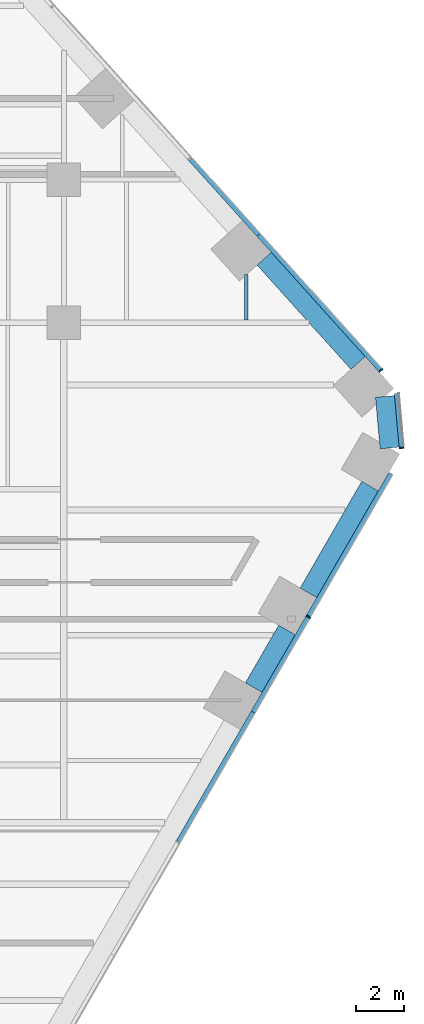
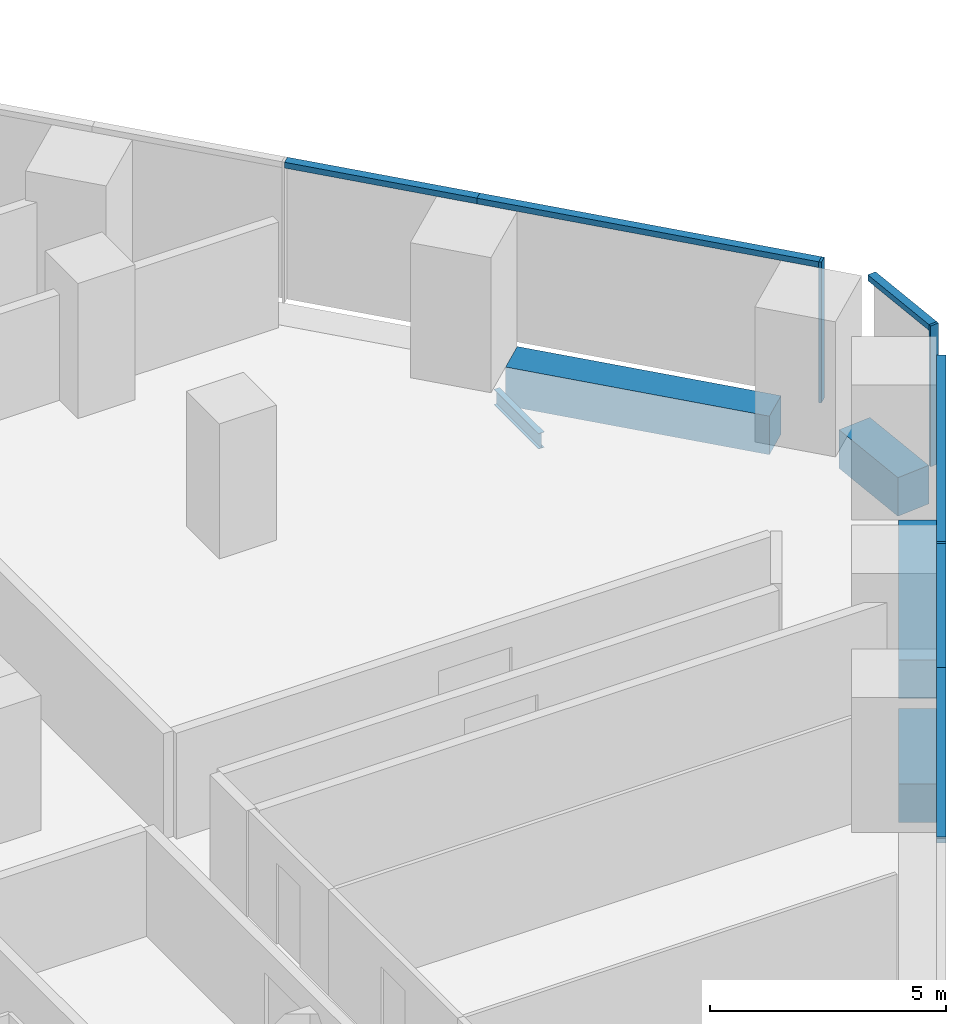
# One storey, part 11 of 20: 9 members, 5 beams, 3 elements without a shape of their own.
"""IFC4 building model written with IfcOpenShell, lengths in metres."""

import ifcopenshell
import ifcopenshell.guid

model = None  # the IFC model being written
_history = None  # IfcOwnerHistory: only IFC2X3 demands one
_inside = {}  # id of a spatial element -> (the spatial element, [elements in it])
_under = {}  # id of a project, library or spatial element -> (it, [spatial elements below it])
_declared = {}  # id of a project -> (the project, [libraries it declares])
_typed = {}  # id of a type object -> (the type object, [elements of that type])
_made_of = {}  # id of a material, layer set ... -> (it, [elements and type objects made of it])


def new_model(schema):
    """Start an empty IFC model of exactly this schema.

    Asked for "IFC4X3", IfcOpenShell would pick the latest addendum, in which some entities
    have other attributes; the version numbers below select the first issue.
    IFC2X3 requires an IfcOwnerHistory on every rooted entity: one is made here for all.
    """
    global model, _history
    if schema == "IFC4X3":
        model = ifcopenshell.file(schema_version=(4, 3, 0, 0))
    else:
        model = ifcopenshell.file(schema=schema)
    _inside.clear()
    _under.clear()
    _declared.clear()
    _typed.clear()
    _made_of.clear()
    _history = None
    if model.schema == "IFC2X3":
        org = make("IfcOrganization", Name="unknown")
        user = make(
            "IfcPersonAndOrganization",
            ThePerson=make("IfcPerson", FamilyName="unknown"),
            TheOrganization=org,
        )
        app = make(
            "IfcApplication",
            ApplicationDeveloper=org,
            Version="unknown",
            ApplicationFullName="unknown",
            ApplicationIdentifier="unknown",
        )
        _history = make(
            "IfcOwnerHistory",
            OwningUser=user,
            OwningApplication=app,
            ChangeAction="ADDED",
            CreationDate=0,
        )
    return model


def make(cls, **values):
    """One entity of the class cls with the attributes given. An attribute that is None is left unset."""
    return model.create_entity(
        cls, **{name: value for name, value in values.items() if value is not None}
    )


def rooted(cls, **values):
    """An entity with a GlobalId (a new one), such as an element, a storey or a relation."""
    return make(cls, GlobalId=ifcopenshell.guid.new(), OwnerHistory=_history, **values)


def si_unit(unit_type, name, prefix=None):
    """IfcSIUnit, for example si_unit("LENGTHUNIT", "METRE", prefix="MILLI")."""
    return make("IfcSIUnit", UnitType=unit_type, Prefix=prefix, Name=name)


def assignment(units):
    """IfcUnitAssignment: the units of a project."""
    return None if units is None else make("IfcUnitAssignment", Units=units)


def point(xyz):
    """IfcCartesianPoint."""
    return None if xyz is None else make("IfcCartesianPoint", Coordinates=xyz)


def direction(xyz):
    """IfcDirection."""
    return None if xyz is None else make("IfcDirection", DirectionRatios=xyz)


def frame(location, z_axis=None, x_axis=None):
    """IfcAxis2Placement3D, a coordinate frame: its origin and axes. An axis left out is left unset."""
    return make(
        "IfcAxis2Placement3D",
        Location=point(location),
        Axis=direction(z_axis),
        RefDirection=direction(x_axis),
    )


def frame_2d(location, x_axis=None):
    """IfcAxis2Placement2D, a coordinate frame in the plane: its origin and x axis."""
    return make(
        "IfcAxis2Placement2D", Location=point(location), RefDirection=direction(x_axis)
    )


def origin():
    """The frame at (0, 0, 0) with its axes left unset."""
    return frame((0.0, 0.0, 0.0))


def origin_2d():
    """The frame at (0, 0) in the plane with its x axis left unset."""
    return frame_2d((0.0, 0.0))


def place(relative_to, where):
    """IfcLocalPlacement: puts the frame where relative to a parent placement (None: the world)."""
    return make(
        "IfcLocalPlacement", PlacementRelTo=relative_to, RelativePlacement=where
    )


def context(
    kind, dimensions, precision=None, world=None, true_north=None, identifier=None
):
    """IfcGeometricRepresentationContext, for example the 3D "Model" context."""
    return make(
        "IfcGeometricRepresentationContext",
        ContextIdentifier=identifier,
        ContextType=kind,
        CoordinateSpaceDimension=dimensions,
        Precision=precision,
        WorldCoordinateSystem=world,
        TrueNorth=true_north,
    )


def subcontext(parent, identifier, kind, view, scale=None):
    """IfcGeometricRepresentationSubContext, for example "Body" below "Model"."""
    return make(
        "IfcGeometricRepresentationSubContext",
        ContextIdentifier=identifier,
        ContextType=kind,
        ParentContext=parent,
        TargetScale=scale,
        TargetView=view,
    )


def project(units=None, contexts=None):
    """IfcProject with its units and contexts."""
    return rooted(
        "IfcProject",
        Name="project",
        RepresentationContexts=contexts,
        UnitsInContext=assignment(units),
    )


def spatial(cls, under=None, at=None, **own):
    """A site, building, storey or space (cls), placed at a placement, below another one or the project."""
    s = rooted(cls, ObjectPlacement=at, **own)
    if under is not None:
        _under.setdefault(under.id(), (under, []))[1].append(s)
    return s


def profile(cls, at=None, kind="AREA", **sizes):
    """A parametric profile (cls). Its sizes go by their IFC names, for example OverallWidth=200.0."""
    return make(cls, ProfileType=kind, Position=at, **sizes)


def rectangle(**sizes):
    """IfcRectangleProfileDef."""
    return profile("IfcRectangleProfileDef", **sizes)


def i_section(**sizes):
    """IfcIShapeProfileDef."""
    return profile("IfcIShapeProfileDef", **sizes)


def extrude(swept, where, along, depth):
    """IfcExtrudedAreaSolid: the profile swept, set in the frame where, extruded along a direction by depth."""
    return make(
        "IfcExtrudedAreaSolid",
        SweptArea=swept,
        Position=where,
        ExtrudedDirection=direction(along),
        Depth=depth,
    )


def shape(context_of_items, identifier, shape_type, items):
    """IfcShapeRepresentation: the items that make up one representation, for example the "Body"."""
    return make(
        "IfcShapeRepresentation",
        ContextOfItems=context_of_items,
        RepresentationIdentifier=identifier,
        RepresentationType=shape_type,
        Items=items,
    )


def material(Name=None, Category=None):
    """IfcMaterial."""
    return make("IfcMaterial", Name=Name, Category=Category)


def layer(
    of_material, thickness, ventilated=None, Name=None, Category=None, Priority=None
):
    """IfcMaterialLayer: one layer of a wall or slab, of a material (None: an air gap)."""
    return make(
        "IfcMaterialLayer",
        Material=of_material,
        LayerThickness=thickness,
        IsVentilated=ventilated,
        Name=Name,
        Category=Category,
        Priority=Priority,
    )


def layer_set(layers, Name=None):
    """IfcMaterialLayerSet."""
    return make("IfcMaterialLayerSet", MaterialLayers=layers, LayerSetName=Name)


def material_profile(
    of_material, cross_section, Name=None, Category=None, Priority=None
):
    """IfcMaterialProfile: a cross section and its material."""
    return make(
        "IfcMaterialProfile",
        Name=Name,
        Material=of_material,
        Profile=cross_section,
        Priority=Priority,
        Category=Category,
    )


def profile_set(profiles, Name=None, composite=None):
    """IfcMaterialProfileSet."""
    return make(
        "IfcMaterialProfileSet",
        Name=Name,
        MaterialProfiles=profiles,
        CompositeProfile=composite,
    )


def made_of(thing, what):
    """Note that an element or type object is made of a material, layer set ...; save() writes the relation."""
    if what is not None:
        _made_of.setdefault(what.id(), (what, []))[1].append(thing)
    return thing


def type_object(cls, material=None, **own):
    """A type object (cls), such as IfcWallType, which elements share."""
    return made_of(rooted(cls, **own), material)


def element(
    cls,
    number,
    at=None,
    inside=None,
    cuts=None,
    type_object=None,
    material=None,
    context=None,
    identifier="Body",
    shape_type=None,
    held_by="IfcProductDefinitionShape",
    body=None,
    shapes=None,
    **own,
):
    """One element of the class cls, such as IfcWall. Its Tag is "e" and its number.

    at: its placement. inside: the storey or other place that contains it. cuts: it is an
    opening in that element (IfcRelVoidsElement). A single representation is given by context,
    identifier, shape_type and body (its items); several are given by shapes. held_by: the class
    of the entity that holds the representations. save() writes the other relations.
    """
    e = rooted(cls, Tag="e%d" % number, ObjectPlacement=at, **own)
    if body is not None:
        shapes = [shape(context, identifier, shape_type, body)]
    if shapes is not None:
        e.Representation = make(held_by, Representations=shapes)
    if inside is not None:
        _inside.setdefault(inside.id(), (inside, []))[1].append(e)
    if cuts is not None:
        rooted(
            "IfcRelVoidsElement", RelatingBuildingElement=cuts, RelatedOpeningElement=e
        )
    if type_object is not None:
        _typed.setdefault(type_object.id(), (type_object, []))[1].append(e)
    return made_of(e, material)


def aggregate(whole, parts):
    """IfcRelAggregates: a whole, such as a stair, and the parts it consists of."""
    return rooted("IfcRelAggregates", RelatingObject=whole, RelatedObjects=parts)


def save(model, path):
    """Write the relations noted so far, then the file.

    IfcRelAggregates (storeys below a building ...), IfcRelContainedInSpatialStructure (elements
    in a storey), IfcRelDefinesByType, IfcRelAssociatesMaterial and IfcRelDeclares: one each for
    every whole, place, type object, material and project.
    """
    for whole, parts in _under.values():
        aggregate(whole, parts)
    for where, things in _inside.values():
        rooted(
            "IfcRelContainedInSpatialStructure",
            RelatedElements=things,
            RelatingStructure=where,
        )
    for kind, things in _typed.values():
        rooted("IfcRelDefinesByType", RelatedObjects=things, RelatingType=kind)
    for what, things in _made_of.values():
        rooted("IfcRelAssociatesMaterial", RelatedObjects=things, RelatingMaterial=what)
    for by, libraries in _declared.values():
        rooted("IfcRelDeclares", RelatingContext=by, RelatedDefinitions=libraries)
    model.write(path)


model = new_model("IFC4")

# Units and contexts
model_context = context("Model", 3, precision=1e-05, world=origin(), true_north=direction((0.0, 1.0)))
body_context = subcontext(model_context, "Body", "Model", "MODEL_VIEW")
ifc_project = project(units=[si_unit("LENGTHUNIT", "METRE"), si_unit("AREAUNIT", "SQUARE_METRE"), si_unit("VOLUMEUNIT", "CUBIC_METRE"), si_unit("PLANEANGLEUNIT", "RADIAN"), si_unit("MASSUNIT", "GRAM", prefix="KILO")], contexts=[model_context])

# Site, building, storey
site_placement = place(None, origin())
site = spatial("IfcSite", under=ifc_project, at=site_placement, CompositionType="ELEMENT")
building_placement = place(site_placement, origin())
building = spatial("IfcBuilding", under=site, at=building_placement, Name="Isthmus Gate Tower", CompositionType="ELEMENT")
storey_placement = place(building_placement, frame((0.0, 0.0, 65.199951171875)))
storey = spatial("IfcBuildingStorey", under=building, at=storey_placement, Name="L14", CompositionType="ELEMENT", Elevation=65.199951171875)

# Curtain wall, member
ifc_material_1 = material(Name="Aluminium, pale champagne anodised", Category="aluminium")
ifc_layer = layer(ifc_material_1, 0.199951171875)
ifc_layer_set = layer_set([ifc_layer], Name="CW-1 UNITISED CURTAIN WALL 200 DEEP")
curtain_wall_type = type_object("IfcCurtainWallType", Name="CW-1 UNITISED CURTAIN WALL 200 DEEP", PredefinedType="NOTDEFINED", material=ifc_layer_set)
curtain_wall_1_placement = place(storey_placement, origin())
curtain_wall_1 = element("IfcCurtainWall", 1, at=curtain_wall_1_placement, inside=storey, type_object=curtain_wall_type, Name="CW-1 SE L14", PredefinedType="NOTDEFINED")
ifc_material_2 = material(Name="Aluminium, pale champagne anodised", Category="aluminium")
ifc_material_profile_1 = material_profile(ifc_material_2, rectangle(XDim=0.06005859375, YDim=0.199951171875, at=origin_2d()), Name="60x200")
ifc_profile_set_1 = profile_set([ifc_material_profile_1], Name="Aluminium, pale champagne anodised")
member_type_1 = type_object("IfcMemberType", Name="CW-1 MULLION 60 X 200", PredefinedType="MULLION", material=ifc_profile_set_1)
member_1_placement = place(storey_placement, frame((34.267822265625, -4.846435546875, 0.0), z_axis=(0.0, 0.0, 1.0), x_axis=(0.5, 0.866025403784, 0.0)))
member_1 = element("IfcMember", 2, at=member_1_placement, type_object=member_type_1, Name="CW-1 mullion", PredefinedType="MULLION", context=body_context, shape_type="SweptSolid", body=[
    extrude(rectangle(XDim=0.06005859375, YDim=0.199951171875, at=origin_2d()), origin(), (0.0, 0.0, 1.0), 3.650146484375),
])

curtain_wall_2_placement = place(storey_placement, origin())
curtain_wall_2 = element("IfcCurtainWall", 3, at=curtain_wall_2_placement, inside=storey, type_object=curtain_wall_type, Name="CW-1 SE-NE L14", PredefinedType="NOTDEFINED")
member_2_placement = place(storey_placement, frame((38.178955078125, 2.24169921875, 0.0), z_axis=(0.0, 0.0, 1.0), x_axis=(-0.089396669717, 0.995996102123, 0.0)))
member_2 = element("IfcMember", 4, at=member_2_placement, type_object=member_type_1, Name="CW-1 mullion", PredefinedType="MULLION", context=body_context, shape_type="SweptSolid", body=[
    extrude(rectangle(XDim=0.06005859375, YDim=0.199951171875, at=origin_2d()), origin(), (0.0, 0.0, 1.0), 3.650146484375),
])

curtain_wall_3_placement = place(storey_placement, origin())
curtain_wall_3 = element("IfcCurtainWall", 5, at=curtain_wall_3_placement, inside=storey, type_object=curtain_wall_type, Name="CW-1 NE L14", PredefinedType="NOTDEFINED")
member_3_placement = place(storey_placement, frame((37.306640625, 5.494384765625, 0.0), z_axis=(0.0, 0.0, 1.0), x_axis=(-0.669130606359, 0.743144825477, 0.0)))
member_3 = element("IfcMember", 6, at=member_3_placement, type_object=member_type_1, Name="CW-1 mullion", PredefinedType="MULLION", context=body_context, shape_type="SweptSolid", body=[
    extrude(rectangle(XDim=0.06005859375, YDim=0.199951171875, at=origin_2d()), origin(), (0.0, 0.0, 1.0), 3.650146484375),
])

# Member
ifc_material_3 = material(Name="Aluminium, pale champagne anodised", Category="aluminium")
ifc_material_profile_2 = material_profile(ifc_material_3, rectangle(XDim=0.199951171875, YDim=0.14990234375, at=origin_2d()), Name="200x150")
ifc_profile_set_2 = profile_set([ifc_material_profile_2], Name="Aluminium, pale champagne anodised")
member_type_2 = type_object("IfcMemberType", Name="CW-1 TRANSOM 200 X 150", PredefinedType="USERDEFINED", material=ifc_profile_set_2)
member_4_placement = place(storey_placement, frame((28.817138671875, -14.287353515625, 3.574951171875), z_axis=(0.499995104884, 0.866028229963, 0.0), x_axis=(-0.866028229963, 0.499995104884, 0.0)))
member_4 = element("IfcMember", 7, at=member_4_placement, type_object=member_type_2, Name="CW-1 transom", ObjectType="TRANSOM", PredefinedType="USERDEFINED", context=body_context, shape_type="SweptSolid", body=[
    extrude(rectangle(XDim=0.199951171875, YDim=0.14990234375, at=origin_2d()), origin(), (0.0, 0.0, 1.0), 6.2783203125),
])

member_5_placement = place(storey_placement, frame((31.956298828125, -8.85009765625, 3.574951171875), z_axis=(0.499992401796, 0.866029790565, 0.0), x_axis=(-0.866029790565, 0.499992401796, 0.0)))
member_5 = element("IfcMember", 8, at=member_5_placement, type_object=member_type_2, Name="CW-1 transom", ObjectType="TRANSOM", PredefinedType="USERDEFINED", context=body_context, shape_type="SweptSolid", body=[
    extrude(rectangle(XDim=0.199951171875, YDim=0.14990234375, at=origin_2d()), origin(), (0.0, 0.0, 1.0), 4.5927734375),
])

member_6_placement = place(storey_placement, frame((34.28271484375, -4.820556640625, 3.574951171875), z_axis=(0.500003839917, 0.866023186796, 0.0), x_axis=(-0.866023186796, 0.500003839917, 0.0)))
member_6 = element("IfcMember", 9, at=member_6_placement, type_object=member_type_2, Name="CW-1 transom", ObjectType="TRANSOM", PredefinedType="USERDEFINED", context=body_context, shape_type="SweptSolid", body=[
    extrude(rectangle(XDim=0.199951171875, YDim=0.14990234375, at=origin_2d()), origin(), (0.0, 0.0, 1.0), 6.90966796875),
])

aggregate(curtain_wall_1, [member_4, member_5, member_1, member_6])

member_7_placement = place(storey_placement, frame((38.17626953125, 2.271728515625, 3.574951171875), z_axis=(-0.089395362867, 0.995996219419, 0.0), x_axis=(-0.995996219419, -0.089395362867, 0.0)))
member_7 = element("IfcMember", 10, at=member_7_placement, type_object=member_type_2, Name="CW-1 transom", ObjectType="TRANSOM", PredefinedType="USERDEFINED", context=body_context, shape_type="SweptSolid", body=[
    extrude(rectangle(XDim=0.199951171875, YDim=0.14990234375, at=origin_2d()), origin(), (0.0, 0.0, 1.0), 2.258544921875),
])

aggregate(curtain_wall_2, [member_2, member_7])

member_8_placement = place(storey_placement, frame((37.28662109375, 5.5166015625, 3.574951171875), z_axis=(-0.66912913739, 0.74314614814, 0.0), x_axis=(-0.74314614814, -0.66912913739, 0.0)))
member_8 = element("IfcMember", 11, at=member_8_placement, type_object=member_type_2, Name="CW-1 transom", ObjectType="TRANSOM", PredefinedType="USERDEFINED", context=body_context, shape_type="SweptSolid", body=[
    extrude(rectangle(XDim=0.199951171875, YDim=0.14990234375, at=origin_2d()), origin(), (0.0, 0.0, 1.0), 7.62939453125),
])

member_9_placement = place(storey_placement, frame((32.181640625, 11.186279296875, 3.574951171875), z_axis=(-0.669131169216, 0.743144318678, 0.0), x_axis=(-0.743144318678, -0.669131169216, 0.0)))
member_9 = element("IfcMember", 12, at=member_9_placement, type_object=member_type_2, Name="CW-1 transom", ObjectType="TRANSOM", PredefinedType="USERDEFINED", context=body_context, shape_type="SweptSolid", body=[
    extrude(rectangle(XDim=0.199951171875, YDim=0.14990234375, at=origin_2d()), origin(), (0.0, 0.0, 1.0), 4.294677734375),
])

aggregate(curtain_wall_3, [member_3, member_8, member_9])

# Beams
ifc_material_4 = material(Name="Concrete f'c 70 MPa", Category="concrete")
ifc_material_profile_3 = material_profile(ifc_material_4, rectangle(XDim=0.800048828125, YDim=1.0, at=origin_2d()), Name="RC 800X1000")
ifc_profile_set_3 = profile_set([ifc_material_profile_3], Name="Concrete f'c 70 MPa")
beam_type_1 = type_object("IfcBeamType", Name="RC SPANDREL 800 X 1000", PredefinedType="SPANDREL", material=ifc_profile_set_3)
beam_1_placement = place(storey_placement, frame((32.412353515625, 10.182861328125, -0.5), z_axis=(0.669138782017, -0.743137464001, 0.0), x_axis=(0.743137464001, 0.669138782017, 0.0)))
element("IfcBeam", 13, at=beam_1_placement, inside=storey, type_object=beam_type_1, Name="str-spandrel-L14-04", PredefinedType="SPANDREL", context=body_context, shape_type="SweptSolid", body=[
    extrude(rectangle(XDim=0.800048828125, YDim=1.0, at=origin_2d()), origin(), (0.0, 0.0, 1.0), 5.88916015625),
])
beam_2_placement = place(storey_placement, frame((37.483154296875, 4.40185546875, -0.5), z_axis=(0.089421511639, -0.995993872098, 0.0), x_axis=(0.995993872098, 0.089421511639, 0.0)))
element("IfcBeam", 14, at=beam_2_placement, inside=storey, type_object=beam_type_1, Name="str-spandrel-L14-05", PredefinedType="SPANDREL", context=body_context, shape_type="SweptSolid", body=[
    extrude(rectangle(XDim=0.800048828125, YDim=1.0, at=origin_2d()), origin(), (0.0, 0.0, 1.0), 2.17333984375),
])
beam_3_placement = place(storey_placement, frame((36.8544921875, 0.6337890625, -0.5), z_axis=(-0.50000453793, -0.866022783793, 0.0), x_axis=(0.866022783793, -0.50000453793, 0.0)))
element("IfcBeam", 15, at=beam_3_placement, inside=storey, type_object=beam_type_1, Name="str-spandrel-L14-06", PredefinedType="SPANDREL", context=body_context, shape_type="SweptSolid", body=[
    extrude(rectangle(XDim=0.800048828125, YDim=1.0, at=origin_2d()), origin(), (0.0, 0.0, 1.0), 5.16943359375),
])
beam_4_placement = place(storey_placement, frame((33.369873046875, -5.40185546875, -0.5), z_axis=(-0.500012514453, -0.866018178441, 0.0), x_axis=(0.866018178441, -0.500012514453, 0.0)))
element("IfcBeam", 16, at=beam_4_placement, inside=storey, type_object=beam_type_1, Name="str-spandrel-L14-07", PredefinedType="SPANDREL", context=body_context, shape_type="SweptSolid", body=[
    extrude(rectangle(XDim=0.800048828125, YDim=1.0, at=origin_2d()), origin(), (0.0, 0.0, 1.0), 2.79296875),
])
ifc_material_5 = material(Name="Structural steel ASTM A992 Gr 50", Category="steel")
ifc_material_profile_4 = material_profile(ifc_material_5, i_section(OverallWidth=0.1396484375, OverallDepth=0.4033203125, WebThickness=0.00634765625, FlangeThickness=0.010986328125, at=origin_2d()), Name="W16X31")
ifc_profile_set_4 = profile_set([ifc_material_profile_4], Name="Structural steel ASTM A992 Gr 50")
beam_type_2 = type_object("IfcBeamType", Name="STEEL FLOOR BEAM W16X31", PredefinedType="JOIST", material=ifc_profile_set_4)
beam_5_placement = place(storey_placement, frame((31.666259765625, 7.6142578125, -0.3515625), z_axis=(0.0, 1.0, 0.0), x_axis=(-1.0, 0.0, 0.0)))
element("IfcBeam", 17, at=beam_5_placement, inside=storey, type_object=beam_type_2, Name="str-beam-L14-33-01", PredefinedType="JOIST", context=body_context, shape_type="SweptSolid", body=[
    extrude(i_section(OverallWidth=0.1396484375, OverallDepth=0.4033203125, WebThickness=0.00634765625, FlangeThickness=0.010986328125, at=origin_2d()), origin(), (0.0, 0.0, 1.0), 1.89697265625),
])

save(model, "model.ifc")
